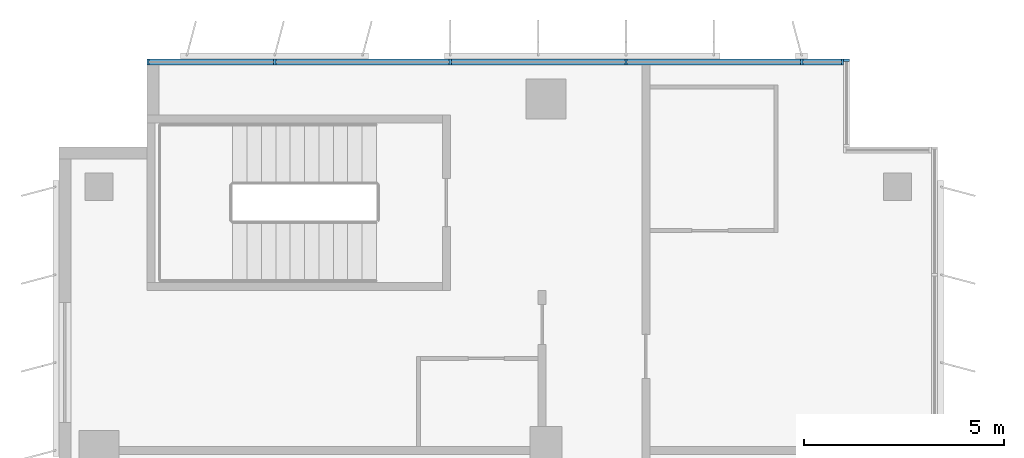
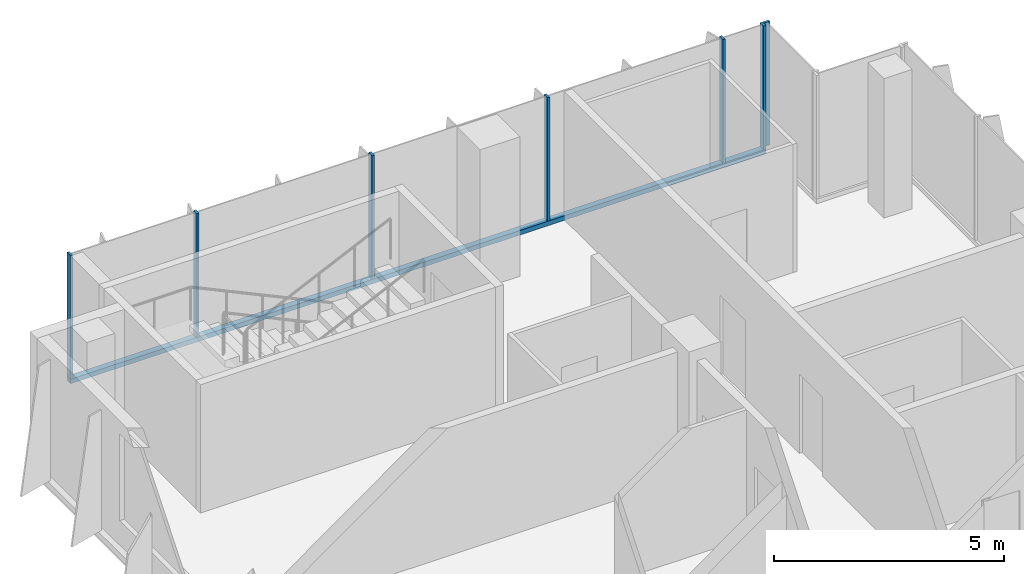
# One storey, part 9 of 21: 8 members, 2 elements without a shape of their own.
"""IFC4 building model written with IfcOpenShell, lengths in metres."""

from ifc_helpers import new_model, si_unit, direction, frame, origin, origin_2d, place, context, subcontext, project, spatial, rectangle, extrude, source, transform, mapped, material, material_profile, profile_set, type_object, element, aggregate, save


model = new_model("IFC4")

# Units and contexts
model_context = context("Model", 3, precision=1e-05, world=origin(), true_north=direction((0.0, 1.0)))
body_context = subcontext(model_context, "Body", "Model", "MODEL_VIEW")
ifc_project = project(units=[si_unit("LENGTHUNIT", "METRE"), si_unit("AREAUNIT", "SQUARE_METRE"), si_unit("VOLUMEUNIT", "CUBIC_METRE"), si_unit("PLANEANGLEUNIT", "RADIAN"), si_unit("MASSUNIT", "GRAM", prefix="KILO")], contexts=[model_context])

# Site, building, storey
site_placement = place(None, origin())
site = spatial("IfcSite", under=ifc_project, at=site_placement, CompositionType="ELEMENT")
building_placement = place(site_placement, origin())
building = spatial("IfcBuilding", under=site, at=building_placement, Name="Kemantara Hotel Tower", CompositionType="ELEMENT")
storey_placement = place(building_placement, frame((0.0, 0.0, 182.699951171875)))
storey = spatial("IfcBuildingStorey", under=building, at=storey_placement, Name="L45", CompositionType="ELEMENT", Elevation=182.699951171875)

# Curtain wall, members
ifc_material_1 = material(Name="Low-E tinted double insulated glass 36 mm", Category="glass")
curtain_wall_type = type_object("IfcCurtainWallType", Name="TOWER CURTAIN WALL, FRONT FACES", PredefinedType="USERDEFINED", material=ifc_material_1)
curtain_wall_1_placement = place(storey_placement, origin())
curtain_wall_1 = element("IfcCurtainWall", 1, at=curtain_wall_1_placement, inside=storey, type_object=curtain_wall_type, Name="CW4 L45 T3-R02-1", ObjectType="TOWER CURTAIN WALL, FRONT FACES", PredefinedType="USERDEFINED")
ifc_material_2 = material(Name="Aluminium 6063-T6 bronze anodised", Category="aluminium")
ifc_material_profile_1 = material_profile(ifc_material_2, rectangle(XDim=0.14990234375, YDim=0.1201171875, at=origin_2d()), Name="TOWER CURTAIN WALL, FRONT FACES TRANSOM")
ifc_profile_set_1 = profile_set([ifc_material_profile_1], Name="Aluminium 6063-T6 bronze anodised")
member_type_1 = type_object("IfcMemberType", Name="TOWER CURTAIN WALL, FRONT FACES TRANSOM", PredefinedType="USERDEFINED", material=ifc_profile_set_1)
member_1_placement = place(storey_placement, frame((19.64990234375, 63.52490234375, 0.06005859375), z_axis=(-1.0, 0.0, 0.0), x_axis=(0.0, -1.0, 0.0)))
member_1 = element("IfcMember", 2, at=member_1_placement, type_object=member_type_1, Name="CW4 sill transom T3-R02-1", ObjectType="TRANSOM", PredefinedType="USERDEFINED", context=body_context, shape_type="SweptSolid", body=[
    extrude(rectangle(XDim=0.14990234375, YDim=0.1201171875, at=origin_2d()), origin(), (0.0, 0.0, 1.0), 17.449951171875),
])
ifc_material_profile_2 = material_profile(ifc_material_2, rectangle(XDim=0.14990234375, YDim=0.06005859375, at=origin_2d()), Name="TOWER CURTAIN WALL, FRONT FACES MULLION")
ifc_profile_set_2 = profile_set([ifc_material_profile_2], Name="Aluminium 6063-T6 bronze anodised")
member_type_2 = type_object("IfcMemberType", Name="TOWER CURTAIN WALL, FRONT FACES MULLION", PredefinedType="MULLION", material=ifc_profile_set_2)
shared_shape = source(origin(), body_context, "Body", "SweptSolid", [
    extrude(rectangle(XDim=0.14990234375, YDim=0.06005859375, at=origin_2d()), origin(), (0.0, 0.0, 1.0), 3.280029296875),
])
member_2_placement = place(storey_placement, frame((19.6201171875, 63.52490234375, 0.1201171875), z_axis=(0.0, 0.0, 1.0), x_axis=(0.0, -1.0, 0.0)))
member_2 = element("IfcMember", 3, at=member_2_placement, type_object=member_type_2, Name="CW4 mullion T3-R02-1.1", PredefinedType="MULLION", context=body_context, shape_type="MappedRepresentation", body=[
    mapped(shared_shape, transform((0.0, 0.0, 0.0))),
])
member_3_placement = place(storey_placement, frame((18.60009765625, 63.52490234375, 0.1201171875), z_axis=(0.0, 0.0, 1.0), x_axis=(0.0, -1.0, 0.0)))
member_3 = element("IfcMember", 4, at=member_3_placement, type_object=member_type_2, Name="CW4 mullion T3-R02-1.2", PredefinedType="MULLION", context=body_context, shape_type="MappedRepresentation", body=[
    mapped(shared_shape, transform((0.0, 0.0, 0.0))),
])
member_4_placement = place(storey_placement, frame((14.199951171875, 63.52490234375, 0.1201171875), z_axis=(0.0, 0.0, 1.0), x_axis=(0.0, -1.0, 0.0)))
member_4 = element("IfcMember", 5, at=member_4_placement, type_object=member_type_2, Name="CW4 mullion T3-R02-1.3", PredefinedType="MULLION", context=body_context, shape_type="MappedRepresentation", body=[
    mapped(shared_shape, transform((0.0, 0.0, 0.0))),
])
member_5_placement = place(storey_placement, frame((9.800048828125, 63.52490234375, 0.1201171875), z_axis=(0.0, 0.0, 1.0), x_axis=(0.0, -1.0, 0.0)))
member_5 = element("IfcMember", 6, at=member_5_placement, type_object=member_type_2, Name="CW4 mullion T3-R02-1.4", PredefinedType="MULLION", context=body_context, shape_type="MappedRepresentation", body=[
    mapped(shared_shape, transform((0.0, 0.0, 0.0))),
])
member_6_placement = place(storey_placement, frame((5.39990234375, 63.52490234375, 0.1201171875), z_axis=(0.0, 0.0, 1.0), x_axis=(0.0, -1.0, 0.0)))
member_6 = element("IfcMember", 7, at=member_6_placement, type_object=member_type_2, Name="CW4 mullion T3-R02-1.5", PredefinedType="MULLION", context=body_context, shape_type="MappedRepresentation", body=[
    mapped(shared_shape, transform((0.0, 0.0, 0.0))),
])
member_7_placement = place(storey_placement, frame((2.22998046875, 63.52490234375, 0.1201171875), z_axis=(0.0, 0.0, 1.0), x_axis=(0.0, -1.0, 0.0)))
member_7 = element("IfcMember", 8, at=member_7_placement, type_object=member_type_2, Name="CW4 mullion T3-R02-1.6", PredefinedType="MULLION", context=body_context, shape_type="MappedRepresentation", body=[
    mapped(shared_shape, transform((0.0, 0.0, 0.0))),
])
aggregate(curtain_wall_1, [member_1, member_2, member_3, member_4, member_5, member_6, member_7])

# Curtain wall, member
curtain_wall_2_placement = place(storey_placement, origin())
curtain_wall_2 = element("IfcCurtainWall", 9, at=curtain_wall_2_placement, inside=storey, type_object=curtain_wall_type, Name="CW4 L45 T3-R01-1", ObjectType="TOWER CURTAIN WALL, FRONT FACES", PredefinedType="USERDEFINED")
member_8_placement = place(storey_placement, frame((19.72509765625, 63.570068359375, 0.1201171875), z_axis=(0.0, 0.0, 1.0), x_axis=(-1.0, 0.0, 0.0)))
member_8 = element("IfcMember", 10, at=member_8_placement, type_object=member_type_2, Name="CW4 mullion T3-R01-1.2", PredefinedType="MULLION", context=body_context, shape_type="MappedRepresentation", body=[
    mapped(shared_shape, transform((0.0, 0.0, 0.0))),
])
aggregate(curtain_wall_2, [member_8])

save(model, "model.ifc")
